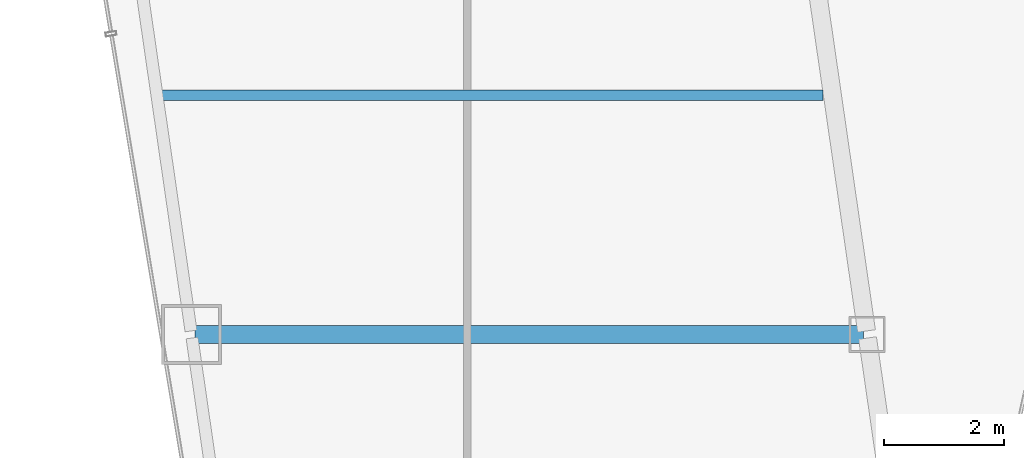
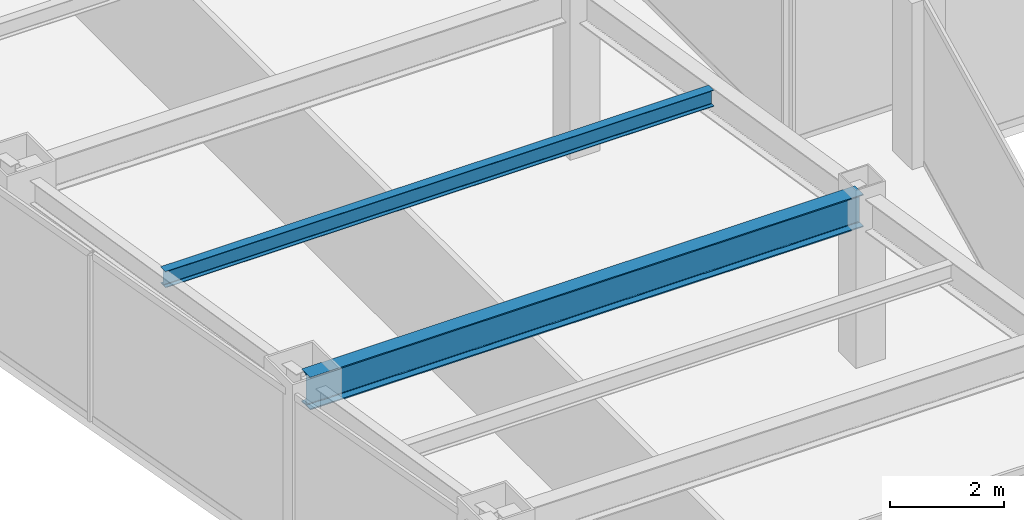
# One storey, part 4 of 37: 2 beams.
"""IFC4 building model written with IfcOpenShell, lengths in metres."""

from ifc_helpers import new_model, si_unit, direction, frame, origin, origin_2d, place, context, subcontext, project, spatial, i_section, extrude, material, material_profile, profile_set, type_object, element, save


model = new_model("IFC4")

# Units and contexts
model_context = context("Model", 3, precision=1e-05, world=origin(), true_north=direction((0.0, 1.0)))
body_context = subcontext(model_context, "Body", "Model", "MODEL_VIEW")
ifc_project = project(units=[si_unit("LENGTHUNIT", "METRE"), si_unit("AREAUNIT", "SQUARE_METRE"), si_unit("VOLUMEUNIT", "CUBIC_METRE"), si_unit("PLANEANGLEUNIT", "RADIAN"), si_unit("MASSUNIT", "GRAM", prefix="KILO")], contexts=[model_context])

# Site, building, storey
site_placement = place(None, origin())
site = spatial("IfcSite", under=ifc_project, at=site_placement, CompositionType="ELEMENT")
building_placement = place(site_placement, origin())
building = spatial("IfcBuilding", under=site, at=building_placement, Name="Saevonmaru Cultural Tower", CompositionType="ELEMENT")
storey_placement = place(building_placement, frame((0.0, 0.0, 144.800048828125)))
storey = spatial("IfcBuildingStorey", under=building, at=storey_placement, Name="L31", CompositionType="ELEMENT", Elevation=144.800048828125)

# Beams
ifc_material = material(Name="Steel SM355", Category="steel")
ifc_material_profile_1 = material_profile(ifc_material, i_section(OverallWidth=0.300048828125, OverallDepth=0.699951171875, WebThickness=0.012939453125, FlangeThickness=0.02392578125, FilletRadius=0.02587890625, at=origin_2d()), Name="H-700x300x13x24")
ifc_profile_set_1 = profile_set([ifc_material_profile_1], Name="Steel SM355")
beam_type_1 = type_object("IfcBeamType", Name="BM-G-H700", PredefinedType="BEAM", material=ifc_profile_set_1)
beam_1_placement = place(storey_placement, frame((10.68798828125, 16.0, 3.199951171875), z_axis=(1.0, 0.0, 0.0), x_axis=(0.0, 1.0, 0.0)))
element("IfcBeam", 1, at=beam_1_placement, inside=storey, type_object=beam_type_1, Name="L31 West Wing Transverse Girder 2", PredefinedType="BEAM", context=body_context, shape_type="SweptSolid", body=[
    extrude(i_section(OverallWidth=0.300048828125, OverallDepth=0.699951171875, WebThickness=0.012939453125, FlangeThickness=0.02392578125, FilletRadius=0.02587890625, at=origin_2d()), origin(), (0.0, 0.0, 1.0), 11.179931640625),
])
ifc_material_profile_2 = material_profile(ifc_material, i_section(OverallWidth=0.175048828125, OverallDepth=0.35009765625, WebThickness=0.007080078125, FlangeThickness=0.010986328125, FilletRadius=0.012939453125, at=origin_2d()), Name="H-350x175x7x11")
ifc_profile_set_2 = profile_set([ifc_material_profile_2], Name="Steel SM355")
beam_type_2 = type_object("IfcBeamType", Name="BM-J-H350", PredefinedType="JOIST", material=ifc_profile_set_2)
beam_2_placement = place(storey_placement, frame((10.110107421875, 20.0, 3.375), z_axis=(1.0, 0.0, 0.0), x_axis=(0.0, 1.0, 0.0)))
element("IfcBeam", 2, at=beam_2_placement, inside=storey, type_object=beam_type_2, Name="L31 West Wing Floor Joist 2", PredefinedType="JOIST", context=body_context, shape_type="SweptSolid", body=[
    extrude(i_section(OverallWidth=0.175048828125, OverallDepth=0.35009765625, WebThickness=0.007080078125, FlangeThickness=0.010986328125, FilletRadius=0.012939453125, at=origin_2d()), origin(), (0.0, 0.0, 1.0), 11.081787109375),
])

save(model, "model.ifc")
